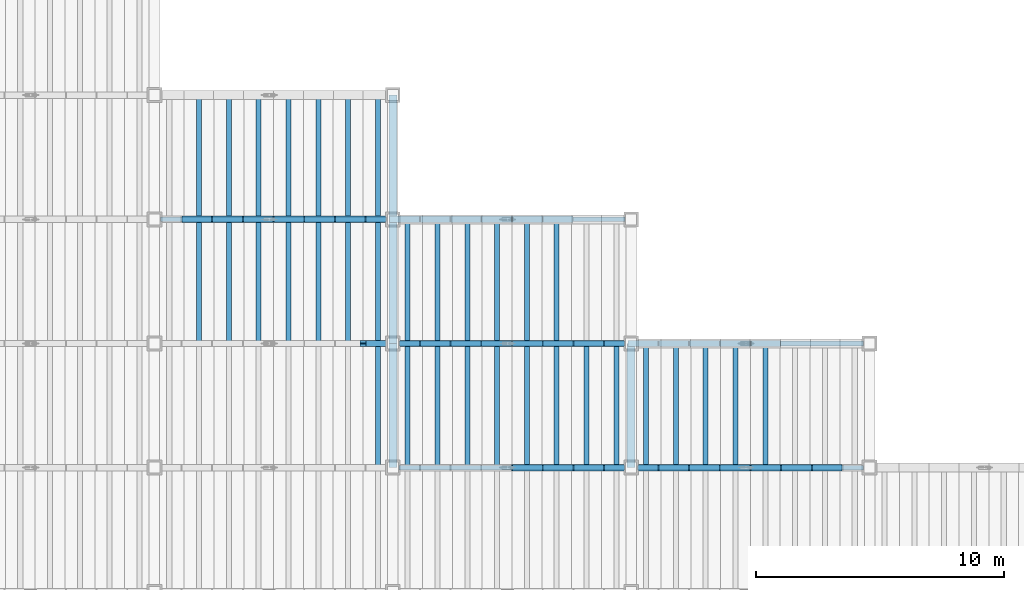
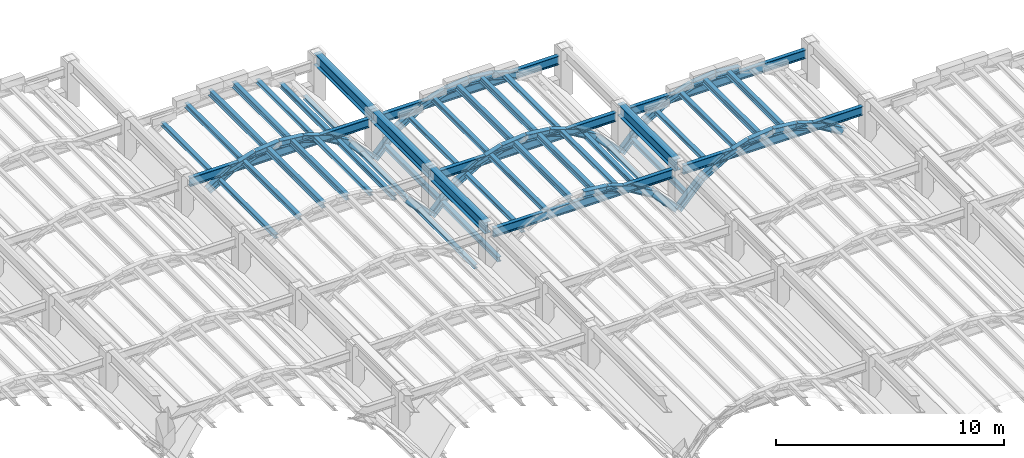
# One storey, part 28 of 70: 72 members, 10 beams.
"""IFC4 building model written with IfcOpenShell, lengths in metres."""

import ifcopenshell
import ifcopenshell.guid

model = None  # the IFC model being written
_history = None  # IfcOwnerHistory: only IFC2X3 demands one
_inside = {}  # id of a spatial element -> (the spatial element, [elements in it])
_under = {}  # id of a project, library or spatial element -> (it, [spatial elements below it])
_declared = {}  # id of a project -> (the project, [libraries it declares])
_typed = {}  # id of a type object -> (the type object, [elements of that type])
_made_of = {}  # id of a material, layer set ... -> (it, [elements and type objects made of it])


def new_model(schema):
    """Start an empty IFC model of exactly this schema.

    Asked for "IFC4X3", IfcOpenShell would pick the latest addendum, in which some entities
    have other attributes; the version numbers below select the first issue.
    IFC2X3 requires an IfcOwnerHistory on every rooted entity: one is made here for all.
    """
    global model, _history
    if schema == "IFC4X3":
        model = ifcopenshell.file(schema_version=(4, 3, 0, 0))
    else:
        model = ifcopenshell.file(schema=schema)
    _inside.clear()
    _under.clear()
    _declared.clear()
    _typed.clear()
    _made_of.clear()
    _history = None
    if model.schema == "IFC2X3":
        org = make("IfcOrganization", Name="unknown")
        user = make(
            "IfcPersonAndOrganization",
            ThePerson=make("IfcPerson", FamilyName="unknown"),
            TheOrganization=org,
        )
        app = make(
            "IfcApplication",
            ApplicationDeveloper=org,
            Version="unknown",
            ApplicationFullName="unknown",
            ApplicationIdentifier="unknown",
        )
        _history = make(
            "IfcOwnerHistory",
            OwningUser=user,
            OwningApplication=app,
            ChangeAction="ADDED",
            CreationDate=0,
        )
    return model


def make(cls, **values):
    """One entity of the class cls with the attributes given. An attribute that is None is left unset."""
    return model.create_entity(
        cls, **{name: value for name, value in values.items() if value is not None}
    )


def rooted(cls, **values):
    """An entity with a GlobalId (a new one), such as an element, a storey or a relation."""
    return make(cls, GlobalId=ifcopenshell.guid.new(), OwnerHistory=_history, **values)


def si_unit(unit_type, name, prefix=None):
    """IfcSIUnit, for example si_unit("LENGTHUNIT", "METRE", prefix="MILLI")."""
    return make("IfcSIUnit", UnitType=unit_type, Prefix=prefix, Name=name)


def assignment(units):
    """IfcUnitAssignment: the units of a project."""
    return None if units is None else make("IfcUnitAssignment", Units=units)


def point(xyz):
    """IfcCartesianPoint."""
    return None if xyz is None else make("IfcCartesianPoint", Coordinates=xyz)


def direction(xyz):
    """IfcDirection."""
    return None if xyz is None else make("IfcDirection", DirectionRatios=xyz)


def frame(location, z_axis=None, x_axis=None):
    """IfcAxis2Placement3D, a coordinate frame: its origin and axes. An axis left out is left unset."""
    return make(
        "IfcAxis2Placement3D",
        Location=point(location),
        Axis=direction(z_axis),
        RefDirection=direction(x_axis),
    )


def frame_2d(location, x_axis=None):
    """IfcAxis2Placement2D, a coordinate frame in the plane: its origin and x axis."""
    return make(
        "IfcAxis2Placement2D", Location=point(location), RefDirection=direction(x_axis)
    )


def origin():
    """The frame at (0, 0, 0) with its axes left unset."""
    return frame((0.0, 0.0, 0.0))


def origin_2d():
    """The frame at (0, 0) in the plane with its x axis left unset."""
    return frame_2d((0.0, 0.0))


def place(relative_to, where):
    """IfcLocalPlacement: puts the frame where relative to a parent placement (None: the world)."""
    return make(
        "IfcLocalPlacement", PlacementRelTo=relative_to, RelativePlacement=where
    )


def context(
    kind, dimensions, precision=None, world=None, true_north=None, identifier=None
):
    """IfcGeometricRepresentationContext, for example the 3D "Model" context."""
    return make(
        "IfcGeometricRepresentationContext",
        ContextIdentifier=identifier,
        ContextType=kind,
        CoordinateSpaceDimension=dimensions,
        Precision=precision,
        WorldCoordinateSystem=world,
        TrueNorth=true_north,
    )


def subcontext(parent, identifier, kind, view, scale=None):
    """IfcGeometricRepresentationSubContext, for example "Body" below "Model"."""
    return make(
        "IfcGeometricRepresentationSubContext",
        ContextIdentifier=identifier,
        ContextType=kind,
        ParentContext=parent,
        TargetScale=scale,
        TargetView=view,
    )


def project(units=None, contexts=None):
    """IfcProject with its units and contexts."""
    return rooted(
        "IfcProject",
        Name="project",
        RepresentationContexts=contexts,
        UnitsInContext=assignment(units),
    )


def spatial(cls, under=None, at=None, **own):
    """A site, building, storey or space (cls), placed at a placement, below another one or the project."""
    s = rooted(cls, ObjectPlacement=at, **own)
    if under is not None:
        _under.setdefault(under.id(), (under, []))[1].append(s)
    return s


def profile(cls, at=None, kind="AREA", **sizes):
    """A parametric profile (cls). Its sizes go by their IFC names, for example OverallWidth=200.0."""
    return make(cls, ProfileType=kind, Position=at, **sizes)


def i_section(**sizes):
    """IfcIShapeProfileDef."""
    return profile("IfcIShapeProfileDef", **sizes)


def extrude(swept, where, along, depth):
    """IfcExtrudedAreaSolid: the profile swept, set in the frame where, extruded along a direction by depth."""
    return make(
        "IfcExtrudedAreaSolid",
        SweptArea=swept,
        Position=where,
        ExtrudedDirection=direction(along),
        Depth=depth,
    )


def shape(context_of_items, identifier, shape_type, items):
    """IfcShapeRepresentation: the items that make up one representation, for example the "Body"."""
    return make(
        "IfcShapeRepresentation",
        ContextOfItems=context_of_items,
        RepresentationIdentifier=identifier,
        RepresentationType=shape_type,
        Items=items,
    )


def material(Name=None, Category=None):
    """IfcMaterial."""
    return make("IfcMaterial", Name=Name, Category=Category)


def material_profile(
    of_material, cross_section, Name=None, Category=None, Priority=None
):
    """IfcMaterialProfile: a cross section and its material."""
    return make(
        "IfcMaterialProfile",
        Name=Name,
        Material=of_material,
        Profile=cross_section,
        Priority=Priority,
        Category=Category,
    )


def profile_set(profiles, Name=None, composite=None):
    """IfcMaterialProfileSet."""
    return make(
        "IfcMaterialProfileSet",
        Name=Name,
        MaterialProfiles=profiles,
        CompositeProfile=composite,
    )


def made_of(thing, what):
    """Note that an element or type object is made of a material, layer set ...; save() writes the relation."""
    if what is not None:
        _made_of.setdefault(what.id(), (what, []))[1].append(thing)
    return thing


def type_object(cls, material=None, **own):
    """A type object (cls), such as IfcWallType, which elements share."""
    return made_of(rooted(cls, **own), material)


def element(
    cls,
    number,
    at=None,
    inside=None,
    cuts=None,
    type_object=None,
    material=None,
    context=None,
    identifier="Body",
    shape_type=None,
    held_by="IfcProductDefinitionShape",
    body=None,
    shapes=None,
    **own,
):
    """One element of the class cls, such as IfcWall. Its Tag is "e" and its number.

    at: its placement. inside: the storey or other place that contains it. cuts: it is an
    opening in that element (IfcRelVoidsElement). A single representation is given by context,
    identifier, shape_type and body (its items); several are given by shapes. held_by: the class
    of the entity that holds the representations. save() writes the other relations.
    """
    e = rooted(cls, Tag="e%d" % number, ObjectPlacement=at, **own)
    if body is not None:
        shapes = [shape(context, identifier, shape_type, body)]
    if shapes is not None:
        e.Representation = make(held_by, Representations=shapes)
    if inside is not None:
        _inside.setdefault(inside.id(), (inside, []))[1].append(e)
    if cuts is not None:
        rooted(
            "IfcRelVoidsElement", RelatingBuildingElement=cuts, RelatedOpeningElement=e
        )
    if type_object is not None:
        _typed.setdefault(type_object.id(), (type_object, []))[1].append(e)
    return made_of(e, material)


def aggregate(whole, parts):
    """IfcRelAggregates: a whole, such as a stair, and the parts it consists of."""
    return rooted("IfcRelAggregates", RelatingObject=whole, RelatedObjects=parts)


def save(model, path):
    """Write the relations noted so far, then the file.

    IfcRelAggregates (storeys below a building ...), IfcRelContainedInSpatialStructure (elements
    in a storey), IfcRelDefinesByType, IfcRelAssociatesMaterial and IfcRelDeclares: one each for
    every whole, place, type object, material and project.
    """
    for whole, parts in _under.values():
        aggregate(whole, parts)
    for where, things in _inside.values():
        rooted(
            "IfcRelContainedInSpatialStructure",
            RelatedElements=things,
            RelatingStructure=where,
        )
    for kind, things in _typed.values():
        rooted("IfcRelDefinesByType", RelatedObjects=things, RelatingType=kind)
    for what, things in _made_of.values():
        rooted("IfcRelAssociatesMaterial", RelatedObjects=things, RelatingMaterial=what)
    for by, libraries in _declared.values():
        rooted("IfcRelDeclares", RelatingContext=by, RelatedDefinitions=libraries)
    model.write(path)


model = new_model("IFC4")

# Units and contexts
model_context = context("Model", 3, precision=1e-05, world=origin(), true_north=direction((0.0, 1.0)))
body_context = subcontext(model_context, "Body", "Model", "MODEL_VIEW")
ifc_project = project(units=[si_unit("LENGTHUNIT", "METRE"), si_unit("AREAUNIT", "SQUARE_METRE"), si_unit("VOLUMEUNIT", "CUBIC_METRE"), si_unit("PLANEANGLEUNIT", "RADIAN"), si_unit("MASSUNIT", "GRAM", prefix="KILO")], contexts=[model_context])

# Site, building, storey
site_placement = place(None, origin())
site = spatial("IfcSite", under=ifc_project, at=site_placement, CompositionType="ELEMENT")
building_placement = place(site_placement, origin())
building = spatial("IfcBuilding", under=site, at=building_placement, Name="Mavantir Sound Aquarium", CompositionType="ELEMENT")
storey_placement = place(building_placement, frame((0.0, 0.0, 27.0)))
storey = spatial("IfcBuildingStorey", under=building, at=storey_placement, Name="RF", CompositionType="ELEMENT", Elevation=27.0)

# Beams
ifc_material = material(Name="Structural Steel ASTM A992 Gr50", Category="steel")
ifc_material_profile_1 = material_profile(ifc_material, i_section(OverallWidth=0.194091796875, OverallDepth=0.468994140625, WebThickness=0.0126953125, FlangeThickness=0.0205078125, FilletRadius=0.01611328125, at=origin_2d()), Name="W460X106")
ifc_profile_set_1 = profile_set([ifc_material_profile_1], Name="Structural Steel ASTM A992 Gr50")
beam_type_1 = type_object("IfcBeamType", Name="BM-W460X106-I", PredefinedType="BEAM", material=ifc_profile_set_1)
beam_placement = place(storey_placement, frame((127.449951171875, 75.800048828125, -5.327392578125), z_axis=(1.0, 0.0, 0.0), x_axis=(0.0, 1.0, 0.0)))
element("IfcBeam", 1, at=beam_placement, inside=storey, type_object=beam_type_1, Name="Scalloped bay 3 transverse tie girder 251", PredefinedType="BEAM", context=body_context, shape_type="SweptSolid", body=[
    extrude(i_section(OverallWidth=0.194091796875, OverallDepth=0.468994140625, WebThickness=0.0126953125, FlangeThickness=0.0205078125, FilletRadius=0.01611328125, at=origin_2d()), origin(), (0.0, 0.0, 1.0), 9.10009765625),
])
for number, where, z_axis, x_axis, name in (
    (2, (137.050048828125, 65.800048828125, -5.327392578125), (1.0, 0.0, 0.0), (0.0, 1.0, 0.0), "Scalloped bay 4 transverse tie girder 311"),
    (3, (137.050048828125, 70.800048828125, -5.327392578125), (1.0, 0.0, 0.0), (0.0, 1.0, 0.0), "Scalloped bay 4 transverse tie girder 321"),
    (4, (137.050048828125, 75.800048828125, -5.327392578125), (1.0, 0.0, 0.0), (0.0, 1.0, 0.0), "Scalloped bay 4 transverse tie girder 331"),
):
    element("IfcBeam", number, at=place(storey_placement, frame(where, z_axis=z_axis, x_axis=x_axis)), inside=storey, type_object=beam_type_1, Name=name, PredefinedType="BEAM", context=body_context, shape_type="SweptSolid", body=[
        extrude(i_section(OverallWidth=0.194091796875, OverallDepth=0.468994140625, WebThickness=0.0126953125, FlangeThickness=0.0205078125, FilletRadius=0.01611328125, at=origin_2d()), origin(), (0.0, 0.0, 1.0), 9.099853515625),
    ])
for number, where, z_axis, x_axis, name in (
    (5, (146.64990234375, 65.800048828125, -5.327392578125), (1.0, 0.0, 0.0), (0.0, 1.0, 0.0), "Scalloped bay 5 transverse tie girder 381"),
    (6, (146.64990234375, 70.800048828125, -5.327392578125), (1.0, 0.0, 0.0), (0.0, 1.0, 0.0), "Scalloped bay 5 transverse tie girder 391"),
):
    element("IfcBeam", number, at=place(storey_placement, frame(where, z_axis=z_axis, x_axis=x_axis)), inside=storey, type_object=beam_type_1, Name=name, PredefinedType="BEAM", context=body_context, shape_type="SweptSolid", body=[
        extrude(i_section(OverallWidth=0.194091796875, OverallDepth=0.468994140625, WebThickness=0.0126953125, FlangeThickness=0.0205078125, FilletRadius=0.01611328125, at=origin_2d()), origin(), (0.0, 0.0, 1.0), 9.10009765625),
    ])
ifc_material_profile_2 = material_profile(ifc_material, i_section(OverallWidth=0.323974609375, OverallDepth=0.611083984375, WebThickness=0.0126953125, FlangeThickness=0.01904296875, FilletRadius=0.01904296875, at=origin_2d()), Name="W610X155")
ifc_profile_set_2 = profile_set([ifc_material_profile_2], Name="Structural Steel ASTM A992 Gr50")
beam_type_2 = type_object("IfcBeamType", Name="BM-W610X155-E", PredefinedType="BEAM", material=ifc_profile_set_2)
for number, where, z_axis, x_axis, name in (
    (7, (136.800048828125, 65.800048828125, -5.0048828125), (0.0, 1.0, 0.0), (-1.0, 0.0, 0.0), "Scalloped roof straight ridge beam 31"),
    (8, (136.800048828125, 70.800048828125, -5.0048828125), (0.0, 1.0, 0.0), (-1.0, 0.0, 0.0), "Scalloped roof straight ridge beam 32"),
    (9, (136.800048828125, 75.800048828125, -5.0048828125), (0.0, 1.0, 0.0), (-1.0, 0.0, 0.0), "Scalloped roof straight ridge beam 33"),
    (10, (146.39990234375, 65.800048828125, -5.0048828125), (0.0, 1.0, 0.0), (-1.0, 0.0, 0.0), "Scalloped roof straight ridge beam 38"),
):
    element("IfcBeam", number, at=place(storey_placement, frame(where, z_axis=z_axis, x_axis=x_axis)), inside=storey, type_object=beam_type_2, Name=name, PredefinedType="BEAM", context=body_context, shape_type="SweptSolid", body=[
        extrude(i_section(OverallWidth=0.323974609375, OverallDepth=0.611083984375, WebThickness=0.0126953125, FlangeThickness=0.01904296875, FilletRadius=0.01904296875, at=origin_2d()), origin(), (0.0, 0.0, 1.0), 5.0),
    ])

# Members
ifc_material_profile_3 = material_profile(ifc_material, i_section(OverallWidth=0.202880859375, OverallDepth=0.202880859375, WebThickness=0.007080078125, FlangeThickness=0.010986328125, FilletRadius=0.010009765625, at=origin_2d()), Name="W200X46")
ifc_profile_set_3 = profile_set([ifc_material_profile_3], Name="Structural Steel ASTM A992 Gr50")
member_type_1 = type_object("IfcMemberType", Name="MEM-TR-W200", PredefinedType="PURLIN", material=ifc_profile_set_3)
for number, where, z_axis, x_axis, name in (
    (11, (136.199951171875, 65.800048828125, -6.881103515625), (0.0, 1.0, 0.0), (-1.0, 0.0, 0.0), "Scalloped bay 3 roof purlin 176"),
    (12, (129.0, 70.800048828125, -5.77978515625), (0.0, 1.0, 0.0), (-1.0, 0.0, 0.0), "Scalloped bay 3 roof purlin 178"),
    (13, (133.800048828125, 70.800048828125, -5.169921875), (0.0, 1.0, 0.0), (-1.0, 0.0, 0.0), "Scalloped bay 3 roof purlin 182"),
    (14, (136.199951171875, 70.800048828125, -6.881103515625), (0.0, 1.0, 0.0), (-1.0, 0.0, 0.0), "Scalloped bay 3 roof purlin 184"),
    (15, (129.0, 75.800048828125, -5.77978515625), (0.0, 1.0, 0.0), (-1.0, 0.0, 0.0), "Scalloped bay 3 roof purlin 186"),
    (16, (133.800048828125, 75.800048828125, -5.169921875), (0.0, 1.0, 0.0), (-1.0, 0.0, 0.0), "Scalloped bay 3 roof purlin 190"),
    (17, (136.199951171875, 75.800048828125, -6.881103515625), (0.0, 1.0, 0.0), (-1.0, 0.0, 0.0), "Scalloped bay 3 roof purlin 192"),
    (18, (138.60009765625, 65.800048828125, -5.77978515625), (0.0, 1.0, 0.0), (-1.0, 0.0, 0.0), "Scalloped bay 4 roof purlin 226"),
    (19, (143.39990234375, 65.800048828125, -5.169921875), (0.0, 1.0, 0.0), (-1.0, 0.0, 0.0), "Scalloped bay 4 roof purlin 230"),
    (20, (145.800048828125, 65.800048828125, -6.881103515625), (0.0, 1.0, 0.0), (-1.0, 0.0, 0.0), "Scalloped bay 4 roof purlin 232"),
    (21, (138.60009765625, 70.800048828125, -5.77978515625), (0.0, 1.0, 0.0), (-1.0, 0.0, 0.0), "Scalloped bay 4 roof purlin 234"),
    (22, (143.39990234375, 70.800048828125, -5.169921875), (0.0, 1.0, 0.0), (-1.0, 0.0, 0.0), "Scalloped bay 4 roof purlin 238"),
    (23, (148.199951171875, 65.800048828125, -5.77978515625), (0.0, 1.0, 0.0), (-1.0, 0.0, 0.0), "Scalloped bay 5 roof purlin 274"),
):
    element("IfcMember", number, at=place(storey_placement, frame(where, z_axis=z_axis, x_axis=x_axis)), inside=storey, type_object=member_type_1, Name=name, PredefinedType="PURLIN", context=body_context, shape_type="SweptSolid", body=[
        extrude(i_section(OverallWidth=0.202880859375, OverallDepth=0.202880859375, WebThickness=0.007080078125, FlangeThickness=0.010986328125, FilletRadius=0.010009765625, at=origin_2d()), origin(), (0.0, 0.0, 1.0), 5.0),
    ])
ifc_material_profile_4 = material_profile(ifc_material, i_section(OverallWidth=0.202880859375, OverallDepth=0.251953125, WebThickness=0.008056640625, FlangeThickness=0.013427734375, FilletRadius=0.011962890625, at=origin_2d()), Name="W250X58")
ifc_profile_set_4 = profile_set([ifc_material_profile_4], Name="Structural Steel ASTM A992 Gr50")
member_type_2 = type_object("IfcMemberType", Name="MEM-TR-W250", PredefinedType="PURLIN", material=ifc_profile_set_4)
for number, where, z_axis, x_axis, name in (
    (24, (130.199951171875, 70.800048828125, -5.194580078125), (0.0, 1.0, 0.0), (-1.0, 0.0, 0.0), "Scalloped bay 3 roof purlin 179"),
    (25, (135.0, 70.800048828125, -5.804443359375), (0.0, 1.0, 0.0), (-1.0, 0.0, 0.0), "Scalloped bay 3 roof purlin 183"),
    (26, (130.199951171875, 75.800048828125, -5.194580078125), (0.0, 1.0, 0.0), (-1.0, 0.0, 0.0), "Scalloped bay 3 roof purlin 187"),
    (27, (135.0, 75.800048828125, -5.804443359375), (0.0, 1.0, 0.0), (-1.0, 0.0, 0.0), "Scalloped bay 3 roof purlin 191"),
    (28, (137.39990234375, 65.800048828125, -6.90576171875), (0.0, 1.0, 0.0), (-1.0, 0.0, 0.0), "Scalloped bay 4 roof purlin 225"),
    (29, (139.800048828125, 65.800048828125, -5.194580078125), (0.0, 1.0, 0.0), (-1.0, 0.0, 0.0), "Scalloped bay 4 roof purlin 227"),
    (30, (144.60009765625, 65.800048828125, -5.804443359375), (0.0, 1.0, 0.0), (-1.0, 0.0, 0.0), "Scalloped bay 4 roof purlin 231"),
    (31, (137.39990234375, 70.800048828125, -6.90576171875), (0.0, 1.0, 0.0), (-1.0, 0.0, 0.0), "Scalloped bay 4 roof purlin 233"),
    (32, (139.800048828125, 70.800048828125, -5.194580078125), (0.0, 1.0, 0.0), (-1.0, 0.0, 0.0), "Scalloped bay 4 roof purlin 235"),
    (33, (147.0, 65.800048828125, -6.90576171875), (0.0, 1.0, 0.0), (-1.0, 0.0, 0.0), "Scalloped bay 5 roof purlin 273"),
    (34, (149.39990234375, 65.800048828125, -5.194580078125), (0.0, 1.0, 0.0), (-1.0, 0.0, 0.0), "Scalloped bay 5 roof purlin 275"),
):
    element("IfcMember", number, at=place(storey_placement, frame(where, z_axis=z_axis, x_axis=x_axis)), inside=storey, type_object=member_type_2, Name=name, PredefinedType="PURLIN", context=body_context, shape_type="SweptSolid", body=[
        extrude(i_section(OverallWidth=0.202880859375, OverallDepth=0.251953125, WebThickness=0.008056640625, FlangeThickness=0.013427734375, FilletRadius=0.011962890625, at=origin_2d()), origin(), (0.0, 0.0, 1.0), 5.0),
    ])
ifc_material_profile_5 = material_profile(ifc_material, i_section(OverallWidth=0.205078125, OverallDepth=0.31005859375, WebThickness=0.009521484375, FlangeThickness=0.016357421875, FilletRadius=0.012939453125, at=origin_2d()), Name="W310X74")
ifc_profile_set_5 = profile_set([ifc_material_profile_5], Name="Structural Steel ASTM A992 Gr50")
member_type_3 = type_object("IfcMemberType", Name="MEM-TR-W310", PredefinedType="RAFTER", material=ifc_profile_set_5)
for number, where, z_axis, x_axis, name in (
    (35, (131.39990234375, 70.800048828125, -4.933837890625), (0.0, 1.0, 0.0), (-1.0, 0.0, 0.0), "Scalloped bay 3 roof purlin 180"),
    (36, (132.60009765625, 70.800048828125, -4.933837890625), (0.0, 1.0, 0.0), (-1.0, 0.0, 0.0), "Scalloped bay 3 roof purlin 181"),
    (37, (131.39990234375, 75.800048828125, -4.933837890625), (0.0, 1.0, 0.0), (-1.0, 0.0, 0.0), "Scalloped bay 3 roof purlin 188"),
    (38, (132.60009765625, 75.800048828125, -4.933837890625), (0.0, 1.0, 0.0), (-1.0, 0.0, 0.0), "Scalloped bay 3 roof purlin 189"),
    (39, (141.0, 65.800048828125, -4.933837890625), (0.0, 1.0, 0.0), (-1.0, 0.0, 0.0), "Scalloped bay 4 roof purlin 228"),
    (40, (142.199951171875, 65.800048828125, -4.933837890625), (0.0, 1.0, 0.0), (-1.0, 0.0, 0.0), "Scalloped bay 4 roof purlin 229"),
    (41, (141.0, 70.800048828125, -4.933837890625), (0.0, 1.0, 0.0), (-1.0, 0.0, 0.0), "Scalloped bay 4 roof purlin 236"),
    (42, (142.199951171875, 70.800048828125, -4.933837890625), (0.0, 1.0, 0.0), (-1.0, 0.0, 0.0), "Scalloped bay 4 roof purlin 237"),
    (43, (150.60009765625, 65.800048828125, -4.933837890625), (0.0, 1.0, 0.0), (-1.0, 0.0, 0.0), "Scalloped bay 5 roof purlin 276"),
    (44, (151.800048828125, 65.800048828125, -4.933837890625), (0.0, 1.0, 0.0), (-1.0, 0.0, 0.0), "Scalloped bay 5 roof purlin 277"),
):
    element("IfcMember", number, at=place(storey_placement, frame(where, z_axis=z_axis, x_axis=x_axis)), inside=storey, type_object=member_type_3, Name=name, PredefinedType="RAFTER", context=body_context, shape_type="SweptSolid", body=[
        extrude(i_section(OverallWidth=0.205078125, OverallDepth=0.31005859375, WebThickness=0.009521484375, FlangeThickness=0.016357421875, FilletRadius=0.012939453125, at=origin_2d()), origin(), (0.0, 0.0, 1.0), 5.0),
    ])
ifc_material_profile_6 = material_profile(ifc_material, i_section(OverallWidth=0.25390625, OverallDepth=0.35302734375, WebThickness=0.009521484375, FlangeThickness=0.016357421875, FilletRadius=0.014892578125, at=origin_2d()), Name="W360X91")
ifc_profile_set_6 = profile_set([ifc_material_profile_6], Name="Structural Steel ASTM A992 Gr50")
member_type_4 = type_object("IfcMemberType", Name="MEM-TR-W360", PredefinedType="RAFTER", material=ifc_profile_set_6)
member_1_placement = place(storey_placement, frame((135.60009765625, 70.800048828125, -6.11328125), z_axis=(0.688727365252, 0.0, -0.725020424784), x_axis=(0.0, 1.0, 0.0)))
element("IfcMember", 45, at=member_1_placement, inside=storey, type_object=member_type_4, Name="Scalloped bay 3 sagging-arc trough rib 250", PredefinedType="RAFTER", context=body_context, shape_type="SweptSolid", body=[
    extrude(i_section(OverallWidth=0.25390625, OverallDepth=0.35302734375, WebThickness=0.009521484375, FlangeThickness=0.016357421875, FilletRadius=0.014892578125, at=origin_2d()), origin(), (0.0, 0.0, 1.0), 1.7421875),
])
member_2_placement = place(storey_placement, frame((128.39990234375, 75.800048828125, -6.11328125), z_axis=(0.856692316174, 0.0, 0.515827757501), x_axis=(0.0, 1.0, 0.0)))
element("IfcMember", 46, at=member_2_placement, inside=storey, type_object=member_type_4, Name="Scalloped bay 3 sagging-arc trough rib 253", PredefinedType="RAFTER", context=body_context, shape_type="SweptSolid", body=[
    extrude(i_section(OverallWidth=0.25390625, OverallDepth=0.35302734375, WebThickness=0.009521484375, FlangeThickness=0.016357421875, FilletRadius=0.014892578125, at=origin_2d()), origin(), (0.0, 0.0, 1.0), 1.40087890625),
])
member_3_placement = place(storey_placement, frame((129.60009765625, 75.800048828125, -5.390625), z_axis=(0.951055396379, 0.0, 0.309020441102), x_axis=(0.0, 1.0, 0.0)))
element("IfcMember", 47, at=member_3_placement, inside=storey, type_object=member_type_4, Name="Scalloped bay 3 sagging-arc trough rib 254", PredefinedType="RAFTER", context=body_context, shape_type="SweptSolid", body=[
    extrude(i_section(OverallWidth=0.25390625, OverallDepth=0.35302734375, WebThickness=0.009521484375, FlangeThickness=0.016357421875, FilletRadius=0.014892578125, at=origin_2d()), origin(), (0.0, 0.0, 1.0), 1.26171875),
])
for number, where, z_axis, x_axis, name in (
    (48, (130.800048828125, 75.800048828125, -5.000732421875), (0.994680359373, 0.0, 0.103009624196), (0.0, 1.0, 0.0), "Scalloped bay 3 sagging-arc trough rib 255"),
    (49, (132.0, 75.800048828125, -4.87646484375), (0.994680359373, 0.0, -0.103009624196), (0.0, 1.0, 0.0), "Scalloped bay 3 sagging-arc trough rib 256"),
):
    element("IfcMember", number, at=place(storey_placement, frame(where, z_axis=z_axis, x_axis=x_axis)), inside=storey, type_object=member_type_4, Name=name, PredefinedType="RAFTER", context=body_context, shape_type="SweptSolid", body=[
        extrude(i_section(OverallWidth=0.25390625, OverallDepth=0.35302734375, WebThickness=0.009521484375, FlangeThickness=0.016357421875, FilletRadius=0.014892578125, at=origin_2d()), origin(), (0.0, 0.0, 1.0), 1.206298828125),
    ])
member_4_placement = place(storey_placement, frame((133.199951171875, 75.800048828125, -5.000732421875), z_axis=(0.951055396379, 0.0, -0.309020441102), x_axis=(0.0, 1.0, 0.0)))
element("IfcMember", 50, at=member_4_placement, inside=storey, type_object=member_type_4, Name="Scalloped bay 3 sagging-arc trough rib 258", PredefinedType="RAFTER", context=body_context, shape_type="SweptSolid", body=[
    extrude(i_section(OverallWidth=0.25390625, OverallDepth=0.35302734375, WebThickness=0.009521484375, FlangeThickness=0.016357421875, FilletRadius=0.014892578125, at=origin_2d()), origin(), (0.0, 0.0, 1.0), 1.26171875),
])
member_5_placement = place(storey_placement, frame((134.39990234375, 75.800048828125, -5.390625), z_axis=(0.856692316174, 0.0, -0.515827757501), x_axis=(0.0, 1.0, 0.0)))
element("IfcMember", 51, at=member_5_placement, inside=storey, type_object=member_type_4, Name="Scalloped bay 3 sagging-arc trough rib 259", PredefinedType="RAFTER", context=body_context, shape_type="SweptSolid", body=[
    extrude(i_section(OverallWidth=0.25390625, OverallDepth=0.35302734375, WebThickness=0.009521484375, FlangeThickness=0.016357421875, FilletRadius=0.014892578125, at=origin_2d()), origin(), (0.0, 0.0, 1.0), 1.40087890625),
])
member_6_placement = place(storey_placement, frame((135.60009765625, 75.800048828125, -6.11328125), z_axis=(0.688727365252, 0.0, -0.725020424784), x_axis=(0.0, 1.0, 0.0)))
element("IfcMember", 52, at=member_6_placement, inside=storey, type_object=member_type_4, Name="Scalloped bay 3 sagging-arc trough rib 260", PredefinedType="RAFTER", context=body_context, shape_type="SweptSolid", body=[
    extrude(i_section(OverallWidth=0.25390625, OverallDepth=0.35302734375, WebThickness=0.009521484375, FlangeThickness=0.016357421875, FilletRadius=0.014892578125, at=origin_2d()), origin(), (0.0, 0.0, 1.0), 1.7421875),
])
member_7_placement = place(storey_placement, frame((141.60009765625, 65.800048828125, -4.87646484375), z_axis=(0.994680359373, 0.0, -0.103009624196), x_axis=(0.0, 1.0, 0.0)))
element("IfcMember", 53, at=member_7_placement, inside=storey, type_object=member_type_4, Name="Scalloped bay 4 sagging-arc trough rib 316", PredefinedType="RAFTER", context=body_context, shape_type="SweptSolid", body=[
    extrude(i_section(OverallWidth=0.25390625, OverallDepth=0.35302734375, WebThickness=0.009521484375, FlangeThickness=0.016357421875, FilletRadius=0.014892578125, at=origin_2d()), origin(), (0.0, 0.0, 1.0), 1.206298828125),
])
member_8_placement = place(storey_placement, frame((142.800048828125, 65.800048828125, -5.000732421875), z_axis=(0.951055396379, 0.0, -0.309020441102), x_axis=(0.0, 1.0, 0.0)))
element("IfcMember", 54, at=member_8_placement, inside=storey, type_object=member_type_4, Name="Scalloped bay 4 sagging-arc trough rib 318", PredefinedType="RAFTER", context=body_context, shape_type="SweptSolid", body=[
    extrude(i_section(OverallWidth=0.25390625, OverallDepth=0.35302734375, WebThickness=0.009521484375, FlangeThickness=0.016357421875, FilletRadius=0.014892578125, at=origin_2d()), origin(), (0.0, 0.0, 1.0), 1.26171875),
])
member_9_placement = place(storey_placement, frame((144.0, 65.800048828125, -5.390625), z_axis=(0.856645937356, 0.0, -0.515904776109), x_axis=(0.0, 1.0, 0.0)))
element("IfcMember", 55, at=member_9_placement, inside=storey, type_object=member_type_4, Name="Scalloped bay 4 sagging-arc trough rib 319", PredefinedType="RAFTER", context=body_context, shape_type="SweptSolid", body=[
    extrude(i_section(OverallWidth=0.25390625, OverallDepth=0.35302734375, WebThickness=0.009521484375, FlangeThickness=0.016357421875, FilletRadius=0.014892578125, at=origin_2d()), origin(), (0.0, 0.0, 1.0), 1.400634765625),
])
for number, where, z_axis, x_axis, name in (
    (56, (145.199951171875, 65.800048828125, -6.11328125), (0.688727365252, 0.0, -0.725020424784), (0.0, 1.0, 0.0), "Scalloped bay 4 sagging-arc trough rib 320"),
    (57, (136.800048828125, 70.800048828125, -7.37646484375), (0.688727365252, 0.0, 0.725020424784), (0.0, 1.0, 0.0), "Scalloped bay 4 sagging-arc trough rib 322"),
):
    element("IfcMember", number, at=place(storey_placement, frame(where, z_axis=z_axis, x_axis=x_axis)), inside=storey, type_object=member_type_4, Name=name, PredefinedType="RAFTER", context=body_context, shape_type="SweptSolid", body=[
        extrude(i_section(OverallWidth=0.25390625, OverallDepth=0.35302734375, WebThickness=0.009521484375, FlangeThickness=0.016357421875, FilletRadius=0.014892578125, at=origin_2d()), origin(), (0.0, 0.0, 1.0), 1.7421875),
    ])
member_10_placement = place(storey_placement, frame((138.0, 70.800048828125, -6.11328125), z_axis=(0.856645937356, 0.0, 0.515904776109), x_axis=(0.0, 1.0, 0.0)))
element("IfcMember", 58, at=member_10_placement, inside=storey, type_object=member_type_4, Name="Scalloped bay 4 sagging-arc trough rib 323", PredefinedType="RAFTER", context=body_context, shape_type="SweptSolid", body=[
    extrude(i_section(OverallWidth=0.25390625, OverallDepth=0.35302734375, WebThickness=0.009521484375, FlangeThickness=0.016357421875, FilletRadius=0.014892578125, at=origin_2d()), origin(), (0.0, 0.0, 1.0), 1.400634765625),
])
member_11_placement = place(storey_placement, frame((139.199951171875, 70.800048828125, -5.390625), z_axis=(0.951055396379, 0.0, 0.309020441102), x_axis=(0.0, 1.0, 0.0)))
element("IfcMember", 59, at=member_11_placement, inside=storey, type_object=member_type_4, Name="Scalloped bay 4 sagging-arc trough rib 324", PredefinedType="RAFTER", context=body_context, shape_type="SweptSolid", body=[
    extrude(i_section(OverallWidth=0.25390625, OverallDepth=0.35302734375, WebThickness=0.009521484375, FlangeThickness=0.016357421875, FilletRadius=0.014892578125, at=origin_2d()), origin(), (0.0, 0.0, 1.0), 1.26171875),
])
member_12_placement = place(storey_placement, frame((140.39990234375, 70.800048828125, -5.000732421875), z_axis=(0.994682506138, 0.0, 0.102988892519), x_axis=(0.0, 1.0, 0.0)))
element("IfcMember", 60, at=member_12_placement, inside=storey, type_object=member_type_4, Name="Scalloped bay 4 sagging-arc trough rib 325", PredefinedType="RAFTER", context=body_context, shape_type="SweptSolid", body=[
    extrude(i_section(OverallWidth=0.25390625, OverallDepth=0.35302734375, WebThickness=0.009521484375, FlangeThickness=0.016357421875, FilletRadius=0.014892578125, at=origin_2d()), origin(), (0.0, 0.0, 1.0), 1.20654296875),
])
member_13_placement = place(storey_placement, frame((141.60009765625, 70.800048828125, -4.87646484375), z_axis=(0.994680359373, 0.0, -0.103009624196), x_axis=(0.0, 1.0, 0.0)))
element("IfcMember", 61, at=member_13_placement, inside=storey, type_object=member_type_4, Name="Scalloped bay 4 sagging-arc trough rib 326", PredefinedType="RAFTER", context=body_context, shape_type="SweptSolid", body=[
    extrude(i_section(OverallWidth=0.25390625, OverallDepth=0.35302734375, WebThickness=0.009521484375, FlangeThickness=0.016357421875, FilletRadius=0.014892578125, at=origin_2d()), origin(), (0.0, 0.0, 1.0), 1.206298828125),
])
member_14_placement = place(storey_placement, frame((142.800048828125, 70.800048828125, -5.000732421875), z_axis=(0.951055396379, 0.0, -0.309020441102), x_axis=(0.0, 1.0, 0.0)))
element("IfcMember", 62, at=member_14_placement, inside=storey, type_object=member_type_4, Name="Scalloped bay 4 sagging-arc trough rib 328", PredefinedType="RAFTER", context=body_context, shape_type="SweptSolid", body=[
    extrude(i_section(OverallWidth=0.25390625, OverallDepth=0.35302734375, WebThickness=0.009521484375, FlangeThickness=0.016357421875, FilletRadius=0.014892578125, at=origin_2d()), origin(), (0.0, 0.0, 1.0), 1.26171875),
])
member_15_placement = place(storey_placement, frame((144.0, 70.800048828125, -5.390625), z_axis=(0.856645937356, 0.0, -0.515904776109), x_axis=(0.0, 1.0, 0.0)))
element("IfcMember", 63, at=member_15_placement, inside=storey, type_object=member_type_4, Name="Scalloped bay 4 sagging-arc trough rib 329", PredefinedType="RAFTER", context=body_context, shape_type="SweptSolid", body=[
    extrude(i_section(OverallWidth=0.25390625, OverallDepth=0.35302734375, WebThickness=0.009521484375, FlangeThickness=0.016357421875, FilletRadius=0.014892578125, at=origin_2d()), origin(), (0.0, 0.0, 1.0), 1.400634765625),
])
for number, where, z_axis, x_axis, name in (
    (64, (145.199951171875, 70.800048828125, -6.11328125), (0.688727365252, 0.0, -0.725020424784), (0.0, 1.0, 0.0), "Scalloped bay 4 sagging-arc trough rib 330"),
    (65, (136.800048828125, 75.800048828125, -7.37646484375), (0.688727365252, 0.0, 0.725020424784), (0.0, 1.0, 0.0), "Scalloped bay 4 sagging-arc trough rib 332"),
):
    element("IfcMember", number, at=place(storey_placement, frame(where, z_axis=z_axis, x_axis=x_axis)), inside=storey, type_object=member_type_4, Name=name, PredefinedType="RAFTER", context=body_context, shape_type="SweptSolid", body=[
        extrude(i_section(OverallWidth=0.25390625, OverallDepth=0.35302734375, WebThickness=0.009521484375, FlangeThickness=0.016357421875, FilletRadius=0.014892578125, at=origin_2d()), origin(), (0.0, 0.0, 1.0), 1.7421875),
    ])
member_16_placement = place(storey_placement, frame((138.0, 75.800048828125, -6.11328125), z_axis=(0.856645937356, 0.0, 0.515904776109), x_axis=(0.0, 1.0, 0.0)))
element("IfcMember", 66, at=member_16_placement, inside=storey, type_object=member_type_4, Name="Scalloped bay 4 sagging-arc trough rib 333", PredefinedType="RAFTER", context=body_context, shape_type="SweptSolid", body=[
    extrude(i_section(OverallWidth=0.25390625, OverallDepth=0.35302734375, WebThickness=0.009521484375, FlangeThickness=0.016357421875, FilletRadius=0.014892578125, at=origin_2d()), origin(), (0.0, 0.0, 1.0), 1.400634765625),
])
member_17_placement = place(storey_placement, frame((139.199951171875, 75.800048828125, -5.390625), z_axis=(0.951055396379, 0.0, 0.309020441102), x_axis=(0.0, 1.0, 0.0)))
element("IfcMember", 67, at=member_17_placement, inside=storey, type_object=member_type_4, Name="Scalloped bay 4 sagging-arc trough rib 334", PredefinedType="RAFTER", context=body_context, shape_type="SweptSolid", body=[
    extrude(i_section(OverallWidth=0.25390625, OverallDepth=0.35302734375, WebThickness=0.009521484375, FlangeThickness=0.016357421875, FilletRadius=0.014892578125, at=origin_2d()), origin(), (0.0, 0.0, 1.0), 1.26171875),
])
member_18_placement = place(storey_placement, frame((140.39990234375, 75.800048828125, -5.000732421875), z_axis=(0.994682506138, 0.0, 0.102988892519), x_axis=(0.0, 1.0, 0.0)))
element("IfcMember", 68, at=member_18_placement, inside=storey, type_object=member_type_4, Name="Scalloped bay 4 sagging-arc trough rib 335", PredefinedType="RAFTER", context=body_context, shape_type="SweptSolid", body=[
    extrude(i_section(OverallWidth=0.25390625, OverallDepth=0.35302734375, WebThickness=0.009521484375, FlangeThickness=0.016357421875, FilletRadius=0.014892578125, at=origin_2d()), origin(), (0.0, 0.0, 1.0), 1.20654296875),
])
member_19_placement = place(storey_placement, frame((141.60009765625, 75.800048828125, -4.87646484375), z_axis=(0.994680359373, 0.0, -0.103009624196), x_axis=(0.0, 1.0, 0.0)))
element("IfcMember", 69, at=member_19_placement, inside=storey, type_object=member_type_4, Name="Scalloped bay 4 sagging-arc trough rib 336", PredefinedType="RAFTER", context=body_context, shape_type="SweptSolid", body=[
    extrude(i_section(OverallWidth=0.25390625, OverallDepth=0.35302734375, WebThickness=0.009521484375, FlangeThickness=0.016357421875, FilletRadius=0.014892578125, at=origin_2d()), origin(), (0.0, 0.0, 1.0), 1.206298828125),
])
member_20_placement = place(storey_placement, frame((142.800048828125, 75.800048828125, -5.000732421875), z_axis=(0.951055396379, 0.0, -0.309020441102), x_axis=(0.0, 1.0, 0.0)))
element("IfcMember", 70, at=member_20_placement, inside=storey, type_object=member_type_4, Name="Scalloped bay 4 sagging-arc trough rib 338", PredefinedType="RAFTER", context=body_context, shape_type="SweptSolid", body=[
    extrude(i_section(OverallWidth=0.25390625, OverallDepth=0.35302734375, WebThickness=0.009521484375, FlangeThickness=0.016357421875, FilletRadius=0.014892578125, at=origin_2d()), origin(), (0.0, 0.0, 1.0), 1.26171875),
])
member_21_placement = place(storey_placement, frame((146.39990234375, 65.800048828125, -7.37646484375), z_axis=(0.688801013332, 0.0, 0.724950456261), x_axis=(0.0, 1.0, 0.0)))
element("IfcMember", 71, at=member_21_placement, inside=storey, type_object=member_type_4, Name="Scalloped bay 5 sagging-arc trough rib 382", PredefinedType="RAFTER", context=body_context, shape_type="SweptSolid", body=[
    extrude(i_section(OverallWidth=0.25390625, OverallDepth=0.35302734375, WebThickness=0.009521484375, FlangeThickness=0.016357421875, FilletRadius=0.014892578125, at=origin_2d()), origin(), (0.0, 0.0, 1.0), 1.742431640625),
])
member_22_placement = place(storey_placement, frame((147.60009765625, 65.800048828125, -6.11328125), z_axis=(0.856645937356, 0.0, 0.515904776109), x_axis=(0.0, 1.0, 0.0)))
element("IfcMember", 72, at=member_22_placement, inside=storey, type_object=member_type_4, Name="Scalloped bay 5 sagging-arc trough rib 383", PredefinedType="RAFTER", context=body_context, shape_type="SweptSolid", body=[
    extrude(i_section(OverallWidth=0.25390625, OverallDepth=0.35302734375, WebThickness=0.009521484375, FlangeThickness=0.016357421875, FilletRadius=0.014892578125, at=origin_2d()), origin(), (0.0, 0.0, 1.0), 1.400634765625),
])
member_23_placement = place(storey_placement, frame((148.800048828125, 65.800048828125, -5.390625), z_axis=(0.951055396379, 0.0, 0.309020441102), x_axis=(0.0, 1.0, 0.0)))
element("IfcMember", 73, at=member_23_placement, inside=storey, type_object=member_type_4, Name="Scalloped bay 5 sagging-arc trough rib 384", PredefinedType="RAFTER", context=body_context, shape_type="SweptSolid", body=[
    extrude(i_section(OverallWidth=0.25390625, OverallDepth=0.35302734375, WebThickness=0.009521484375, FlangeThickness=0.016357421875, FilletRadius=0.014892578125, at=origin_2d()), origin(), (0.0, 0.0, 1.0), 1.26171875),
])
for number, where, z_axis, x_axis, name in (
    (74, (150.0, 65.800048828125, -5.000732421875), (0.994680359373, 0.0, 0.103009624196), (0.0, 1.0, 0.0), "Scalloped bay 5 sagging-arc trough rib 385"),
    (75, (151.199951171875, 65.800048828125, -4.87646484375), (0.994680359373, 0.0, -0.103009624196), (0.0, 1.0, 0.0), "Scalloped bay 5 sagging-arc trough rib 386"),
):
    element("IfcMember", number, at=place(storey_placement, frame(where, z_axis=z_axis, x_axis=x_axis)), inside=storey, type_object=member_type_4, Name=name, PredefinedType="RAFTER", context=body_context, shape_type="SweptSolid", body=[
        extrude(i_section(OverallWidth=0.25390625, OverallDepth=0.35302734375, WebThickness=0.009521484375, FlangeThickness=0.016357421875, FilletRadius=0.014892578125, at=origin_2d()), origin(), (0.0, 0.0, 1.0), 1.206298828125),
    ])
member_24_placement = place(storey_placement, frame((152.39990234375, 65.800048828125, -5.000732421875), z_axis=(0.951073869353, 0.0, -0.30896358205), x_axis=(0.0, 1.0, 0.0)))
element("IfcMember", 76, at=member_24_placement, inside=storey, type_object=member_type_4, Name="Scalloped bay 5 sagging-arc trough rib 388", PredefinedType="RAFTER", context=body_context, shape_type="SweptSolid", body=[
    extrude(i_section(OverallWidth=0.25390625, OverallDepth=0.35302734375, WebThickness=0.009521484375, FlangeThickness=0.016357421875, FilletRadius=0.014892578125, at=origin_2d()), origin(), (0.0, 0.0, 1.0), 1.261962890625),
])
member_25_placement = place(storey_placement, frame((153.60009765625, 65.800048828125, -5.390625), z_axis=(0.856645937356, 0.0, -0.515904776109), x_axis=(0.0, 1.0, 0.0)))
element("IfcMember", 77, at=member_25_placement, inside=storey, type_object=member_type_4, Name="Scalloped bay 5 sagging-arc trough rib 389", PredefinedType="RAFTER", context=body_context, shape_type="SweptSolid", body=[
    extrude(i_section(OverallWidth=0.25390625, OverallDepth=0.35302734375, WebThickness=0.009521484375, FlangeThickness=0.016357421875, FilletRadius=0.014892578125, at=origin_2d()), origin(), (0.0, 0.0, 1.0), 1.400634765625),
])
member_26_placement = place(storey_placement, frame((146.39990234375, 70.800048828125, -7.37646484375), z_axis=(0.688801013332, 0.0, 0.724950456261), x_axis=(0.0, 1.0, 0.0)))
element("IfcMember", 78, at=member_26_placement, inside=storey, type_object=member_type_4, Name="Scalloped bay 5 sagging-arc trough rib 392", PredefinedType="RAFTER", context=body_context, shape_type="SweptSolid", body=[
    extrude(i_section(OverallWidth=0.25390625, OverallDepth=0.35302734375, WebThickness=0.009521484375, FlangeThickness=0.016357421875, FilletRadius=0.014892578125, at=origin_2d()), origin(), (0.0, 0.0, 1.0), 1.742431640625),
])
member_27_placement = place(storey_placement, frame((147.60009765625, 70.800048828125, -6.11328125), z_axis=(0.856645937356, 0.0, 0.515904776109), x_axis=(0.0, 1.0, 0.0)))
element("IfcMember", 79, at=member_27_placement, inside=storey, type_object=member_type_4, Name="Scalloped bay 5 sagging-arc trough rib 393", PredefinedType="RAFTER", context=body_context, shape_type="SweptSolid", body=[
    extrude(i_section(OverallWidth=0.25390625, OverallDepth=0.35302734375, WebThickness=0.009521484375, FlangeThickness=0.016357421875, FilletRadius=0.014892578125, at=origin_2d()), origin(), (0.0, 0.0, 1.0), 1.400634765625),
])
member_28_placement = place(storey_placement, frame((148.800048828125, 70.800048828125, -5.390625), z_axis=(0.951055396379, 0.0, 0.309020441102), x_axis=(0.0, 1.0, 0.0)))
element("IfcMember", 80, at=member_28_placement, inside=storey, type_object=member_type_4, Name="Scalloped bay 5 sagging-arc trough rib 394", PredefinedType="RAFTER", context=body_context, shape_type="SweptSolid", body=[
    extrude(i_section(OverallWidth=0.25390625, OverallDepth=0.35302734375, WebThickness=0.009521484375, FlangeThickness=0.016357421875, FilletRadius=0.014892578125, at=origin_2d()), origin(), (0.0, 0.0, 1.0), 1.26171875),
])
for number, where, z_axis, x_axis, name in (
    (81, (150.0, 70.800048828125, -5.000732421875), (0.994680359373, 0.0, 0.103009624196), (0.0, 1.0, 0.0), "Scalloped bay 5 sagging-arc trough rib 395"),
    (82, (151.199951171875, 70.800048828125, -4.87646484375), (0.994680359373, 0.0, -0.103009624196), (0.0, 1.0, 0.0), "Scalloped bay 5 sagging-arc trough rib 396"),
):
    element("IfcMember", number, at=place(storey_placement, frame(where, z_axis=z_axis, x_axis=x_axis)), inside=storey, type_object=member_type_4, Name=name, PredefinedType="RAFTER", context=body_context, shape_type="SweptSolid", body=[
        extrude(i_section(OverallWidth=0.25390625, OverallDepth=0.35302734375, WebThickness=0.009521484375, FlangeThickness=0.016357421875, FilletRadius=0.014892578125, at=origin_2d()), origin(), (0.0, 0.0, 1.0), 1.206298828125),
    ])

save(model, "model.ifc")
